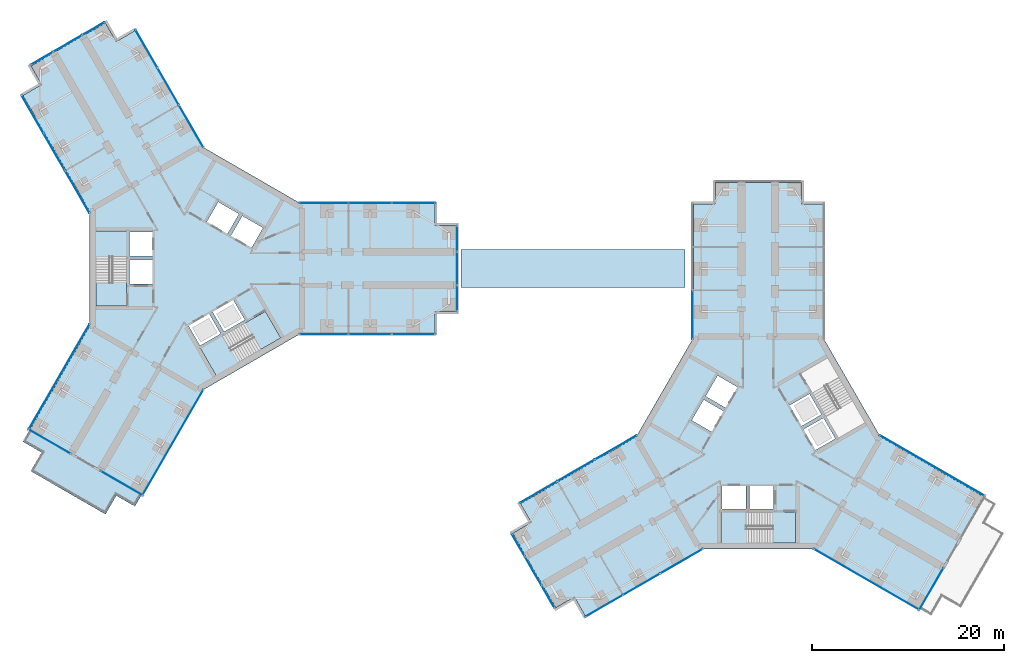
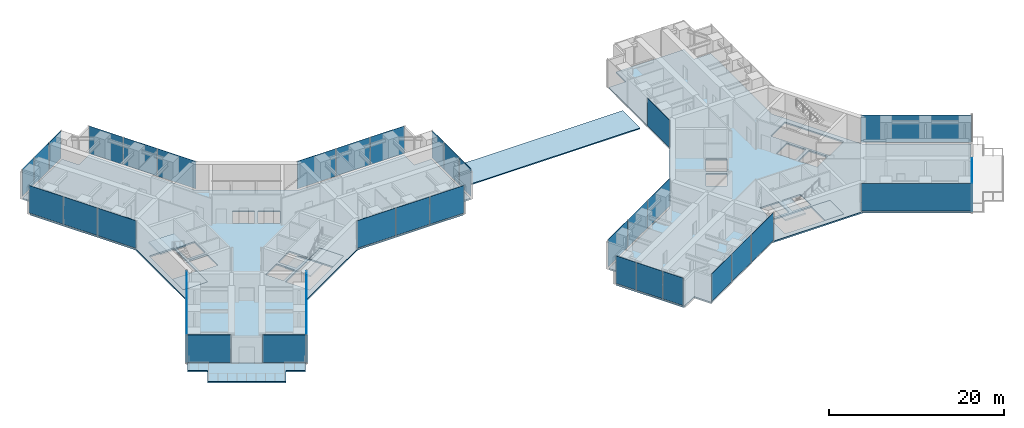
# One storey, part 13 of 22: 35 plates, 10 slabs, 20 elements without a shape of their own.
"""IFC4 building model written with IfcOpenShell, lengths in metres."""

from ifc_helpers import new_model, si_unit, direction, frame, origin, origin_2d, place, context, subcontext, project, spatial, polyline, rectangle, outline, extrude, material, layer, layer_set, type_object, element, aggregate, save


model = new_model("IFC4")

# Units and contexts
model_context = context("Model", 3, precision=1e-05, world=origin(), true_north=direction((0.0, 1.0)))
body_context = subcontext(model_context, "Body", "Model", "MODEL_VIEW")
ifc_project = project(units=[si_unit("LENGTHUNIT", "METRE"), si_unit("AREAUNIT", "SQUARE_METRE"), si_unit("VOLUMEUNIT", "CUBIC_METRE"), si_unit("PLANEANGLEUNIT", "RADIAN"), si_unit("MASSUNIT", "GRAM", prefix="KILO")], contexts=[model_context])

# Site, building, storey
site_placement = place(None, origin())
site = spatial("IfcSite", under=ifc_project, at=site_placement, CompositionType="ELEMENT")
building_placement = place(site_placement, origin())
building = spatial("IfcBuilding", under=site, at=building_placement, Name="Upepo Twin Towers", CompositionType="ELEMENT")
storey_placement = place(building_placement, frame((0.0, 0.0, 97.5)))
storey = spatial("IfcBuildingStorey", under=building, at=storey_placement, Name="L23", CompositionType="ELEMENT", Elevation=97.5)

# Slab
ifc_material_1 = material(Name="Concrete C40/50 on steel deck", Category="concrete")
ifc_layer_1 = layer(ifc_material_1, 0.14990234375)
ifc_layer_set_1 = layer_set([ifc_layer_1], Name="Concrete C40/50 on steel deck")
slab_type_1 = type_object("IfcSlabType", Name="Bridge roof 150 composite", PredefinedType="ROOF", material=ifc_layer_set_1)
slab_1_placement = place(storey_placement, frame((0.0, 0.0, -0.199951171875)))
element("IfcSlab", 1, at=slab_1_placement, inside=storey, type_object=slab_type_1, Name="BR1 roof slab (maintenance access only)", PredefinedType="ROOF", context=body_context, shape_type="SweptSolid", body=[
    extrude(outline(polyline([(27.5, -2.0), (50.840087890625, -2.0), (50.840087890625, 2.0), (27.5, 2.0), (27.5, -2.0)])), origin(), (0.0, 0.0, 1.0), 0.14990234375),
])

# Curtain wall, plates
ifc_material_2 = material(Name="Aluminium and fritted glass", Category="aluminium")
curtain_wall_type = type_object("IfcCurtainWallType", Name="Tower curtain wall TW2, fritted glass", PredefinedType="NOTDEFINED", material=ifc_material_2)
curtain_wall_1_placement = place(storey_placement, origin())
curtain_wall_1 = element("IfcCurtainWall", 2, at=curtain_wall_1_placement, inside=storey, type_object=curtain_wall_type, Name="T1 L23 wing A flank L curtain wall", PredefinedType="NOTDEFINED")
ifc_material_3 = material(Name="Ceramic-fritted laminated glass", Category="glass")
ifc_layer_2 = layer(ifc_material_3, 0.031982421875)
ifc_layer_set_2 = layer_set([ifc_layer_2], Name="Fritted glass panel, 30 per cent dot frit, 32 mm double glazed")
plate_type_1 = type_object("IfcPlateType", Name="Fritted glass panel, 30 per cent dot frit, 32 mm double glazed", PredefinedType="CURTAIN_PANEL", material=ifc_layer_set_2)
plate_1_placement = place(storey_placement, frame((13.184814453125, 6.85009765625, 0.14990234375), z_axis=(0.0, 0.0, 1.0), x_axis=(1.0, 0.0, 0.0)))
plate_1 = element("IfcPlate", 3, at=plate_1_placement, type_object=plate_type_1, Name="T1 L23 wing A flank L curtain wall panel 1", PredefinedType="CURTAIN_PANEL", context=body_context, shape_type="SweptSolid", body=[
    extrude(rectangle(XDim=5.0654296875, YDim=0.031982421875, at=origin_2d()), origin(), (0.0, 0.0, 1.0), 3.85009765625),
])
plate_2_placement = place(storey_placement, frame((18.0, 6.85009765625, 0.14990234375), z_axis=(0.0, 0.0, 1.0), x_axis=(1.0, 0.0, 0.0)))
plate_2 = element("IfcPlate", 4, at=plate_2_placement, type_object=plate_type_1, Name="T1 L23 wing A flank L curtain wall panel 2", PredefinedType="CURTAIN_PANEL", context=body_context, shape_type="SweptSolid", body=[
    extrude(rectangle(XDim=4.43505859375, YDim=0.031982421875, at=origin_2d()), origin(), (0.0, 0.0, 1.0), 3.85009765625),
])
plate_3_placement = place(storey_placement, frame((22.53369140625, 6.85009765625, 0.14990234375), z_axis=(0.0, 0.0, 1.0), x_axis=(1.0, 0.0, 0.0)))
plate_3 = element("IfcPlate", 5, at=plate_3_placement, type_object=plate_type_1, Name="T1 L23 wing A flank L curtain wall panel 3", PredefinedType="CURTAIN_PANEL", context=body_context, shape_type="SweptSolid", body=[
    extrude(rectangle(XDim=4.50244140625, YDim=0.031982421875, at=origin_2d()), origin(), (0.0, 0.0, 1.0), 3.85009765625),
])
aggregate(curtain_wall_1, [plate_1, plate_2, plate_3])

curtain_wall_2_placement = place(storey_placement, origin())
curtain_wall_2 = element("IfcCurtainWall", 6, at=curtain_wall_2_placement, inside=storey, type_object=curtain_wall_type, Name="T1 L23 wing A flank R curtain wall", PredefinedType="NOTDEFINED")
plate_4_placement = place(storey_placement, frame((22.53369140625, -6.85009765625, 0.14990234375), z_axis=(0.0, 0.0, 1.0), x_axis=(-1.0, 0.0, 0.0)))
plate_4 = element("IfcPlate", 7, at=plate_4_placement, type_object=plate_type_1, Name="T1 L23 wing A flank R curtain wall panel 1", PredefinedType="CURTAIN_PANEL", context=body_context, shape_type="SweptSolid", body=[
    extrude(rectangle(XDim=4.50244140625, YDim=0.031982421875, at=origin_2d()), origin(), (0.0, 0.0, 1.0), 3.85009765625),
])
plate_5_placement = place(storey_placement, frame((18.0, -6.85009765625, 0.14990234375), z_axis=(0.0, 0.0, 1.0), x_axis=(-1.0, 0.0, 0.0)))
plate_5 = element("IfcPlate", 8, at=plate_5_placement, type_object=plate_type_1, Name="T1 L23 wing A flank R curtain wall panel 2", PredefinedType="CURTAIN_PANEL", context=body_context, shape_type="SweptSolid", body=[
    extrude(rectangle(XDim=4.43505859375, YDim=0.031982421875, at=origin_2d()), origin(), (0.0, 0.0, 1.0), 3.85009765625),
])
plate_6_placement = place(storey_placement, frame((13.184814453125, -6.85009765625, 0.14990234375), z_axis=(0.0, 0.0, 1.0), x_axis=(-1.0, 0.0, 0.0)))
plate_6 = element("IfcPlate", 9, at=plate_6_placement, type_object=plate_type_1, Name="T1 L23 wing A flank R curtain wall panel 3", PredefinedType="CURTAIN_PANEL", context=body_context, shape_type="SweptSolid", body=[
    extrude(rectangle(XDim=5.0654296875, YDim=0.031982421875, at=origin_2d()), origin(), (0.0, 0.0, 1.0), 3.85009765625),
])
aggregate(curtain_wall_2, [plate_4, plate_5, plate_6])

# Curtain wall, plate
curtain_wall_3_placement = place(storey_placement, origin())
curtain_wall_3 = element("IfcCurtainWall", 10, at=curtain_wall_3_placement, inside=storey, type_object=curtain_wall_type, Name="T1 L23 wing A nose curtain wall", PredefinedType="NOTDEFINED")
plate_7_placement = place(storey_placement, frame((27.10009765625, 0.0, 0.14990234375), z_axis=(0.0, 0.0, 1.0), x_axis=(0.0, 1.0, 0.0)))
plate_7 = element("IfcPlate", 11, at=plate_7_placement, type_object=plate_type_1, Name="T1 L23 wing A nose curtain wall panel 2", PredefinedType="CURTAIN_PANEL", context=body_context, shape_type="SweptSolid", body=[
    extrude(rectangle(XDim=3.43505859375, YDim=0.031982421875, at=origin_2d()), origin(), (0.0, 0.0, 1.0), 3.85009765625),
])

# Curtain wall, plates
curtain_wall_4_placement = place(storey_placement, origin())
curtain_wall_4 = element("IfcCurtainWall", 12, at=curtain_wall_4_placement, inside=storey, type_object=curtain_wall_type, Name="T1 L23 wing B flank L curtain wall", PredefinedType="NOTDEFINED")
plate_8_placement = place(storey_placement, frame((-12.524658203125, 7.993408203125, 0.14990234375), z_axis=(0.0, 0.0, 1.0), x_axis=(-0.500000010308, 0.866025397833, 0.0)))
plate_8 = element("IfcPlate", 13, at=plate_8_placement, type_object=plate_type_1, Name="T1 L23 wing B flank L curtain wall panel 1", PredefinedType="CURTAIN_PANEL", context=body_context, shape_type="SweptSolid", body=[
    extrude(rectangle(XDim=5.0654296875, YDim=0.031982421875, at=origin_2d()), origin(), (0.0, 0.0, 1.0), 3.85009765625),
])
plate_9_placement = place(storey_placement, frame((-14.932373046875, 12.16357421875, 0.14990234375), z_axis=(0.0, 0.0, 1.0), x_axis=(-0.500000010308, 0.866025397833, 0.0)))
plate_9 = element("IfcPlate", 14, at=plate_9_placement, type_object=plate_type_1, Name="T1 L23 wing B flank L curtain wall panel 2", PredefinedType="CURTAIN_PANEL", context=body_context, shape_type="SweptSolid", body=[
    extrude(rectangle(XDim=4.43505859375, YDim=0.031982421875, at=origin_2d()), origin(), (0.0, 0.0, 1.0), 3.85009765625),
])
plate_10_placement = place(storey_placement, frame((-17.19921875, 16.08984375, 0.14990234375), z_axis=(0.0, 0.0, 1.0), x_axis=(-0.500000010308, 0.866025397833, 0.0)))
plate_10 = element("IfcPlate", 15, at=plate_10_placement, type_object=plate_type_1, Name="T1 L23 wing B flank L curtain wall panel 3", PredefinedType="CURTAIN_PANEL", context=body_context, shape_type="SweptSolid", body=[
    extrude(rectangle(XDim=4.50244140625, YDim=0.031982421875, at=origin_2d()), origin(), (0.0, 0.0, 1.0), 3.85009765625),
])
aggregate(curtain_wall_4, [plate_8, plate_9, plate_10])

curtain_wall_5_placement = place(storey_placement, origin())
curtain_wall_5 = element("IfcCurtainWall", 16, at=curtain_wall_5_placement, inside=storey, type_object=curtain_wall_type, Name="T1 L23 wing B flank R curtain wall", PredefinedType="NOTDEFINED")
plate_11_placement = place(storey_placement, frame((-5.334716796875, 22.939697265625, 0.14990234375), z_axis=(0.0, 0.0, 1.0), x_axis=(0.500000010308, -0.866025397833, 0.0)))
plate_11 = element("IfcPlate", 17, at=plate_11_placement, type_object=plate_type_1, Name="T1 L23 wing B flank R curtain wall panel 1", PredefinedType="CURTAIN_PANEL", context=body_context, shape_type="SweptSolid", body=[
    extrude(rectangle(XDim=4.50244140625, YDim=0.031982421875, at=origin_2d()), origin(), (0.0, 0.0, 1.0), 3.85009765625),
])
plate_12_placement = place(storey_placement, frame((-3.067626953125, 19.013427734375, 0.14990234375), z_axis=(0.0, 0.0, 1.0), x_axis=(0.500000010308, -0.866025397833, 0.0)))
plate_12 = element("IfcPlate", 18, at=plate_12_placement, type_object=plate_type_1, Name="T1 L23 wing B flank R curtain wall panel 2", PredefinedType="CURTAIN_PANEL", context=body_context, shape_type="SweptSolid", body=[
    extrude(rectangle(XDim=4.43505859375, YDim=0.031982421875, at=origin_2d()), origin(), (0.0, 0.0, 1.0), 3.85009765625),
])
plate_13_placement = place(storey_placement, frame((-0.66015625, 14.84326171875, 0.14990234375), z_axis=(0.0, 0.0, 1.0), x_axis=(0.500000010308, -0.866025397833, 0.0)))
plate_13 = element("IfcPlate", 19, at=plate_13_placement, type_object=plate_type_1, Name="T1 L23 wing B flank R curtain wall panel 3", PredefinedType="CURTAIN_PANEL", context=body_context, shape_type="SweptSolid", body=[
    extrude(rectangle(XDim=5.0654296875, YDim=0.031982421875, at=origin_2d()), origin(), (0.0, 0.0, 1.0), 3.85009765625),
])
aggregate(curtain_wall_5, [plate_11, plate_12, plate_13])

# Curtain wall, plate
curtain_wall_6_placement = place(storey_placement, origin())
curtain_wall_6 = element("IfcCurtainWall", 20, at=curtain_wall_6_placement, inside=storey, type_object=curtain_wall_type, Name="T1 L23 wing B nose curtain wall", PredefinedType="NOTDEFINED")
plate_14_placement = place(storey_placement, frame((-13.550048828125, 23.46923828125, 0.14990234375), z_axis=(0.0, 0.0, 1.0), x_axis=(-0.866025386174, -0.500000030502, 0.0)))
plate_14 = element("IfcPlate", 21, at=plate_14_placement, type_object=plate_type_1, Name="T1 L23 wing B nose curtain wall panel 2", PredefinedType="CURTAIN_PANEL", context=body_context, shape_type="SweptSolid", body=[
    extrude(rectangle(XDim=3.43505859375, YDim=0.031982421875, at=origin_2d()), origin(), (0.0, 0.0, 1.0), 3.85009765625),
])

curtain_wall_7_placement = place(storey_placement, origin())
curtain_wall_7 = element("IfcCurtainWall", 22, at=curtain_wall_7_placement, inside=storey, type_object=curtain_wall_type, Name="T1 L23 wing C flank L curtain wall", PredefinedType="NOTDEFINED")
plate_15_placement = place(storey_placement, frame((-2.552001953125, -18.1201171875, 0.14990234375), z_axis=(0.0, 0.0, 1.0), x_axis=(-0.50000000792, -0.866025399212, 0.0)))
plate_15 = element("IfcPlate", 23, at=plate_15_placement, type_object=plate_type_1, Name="T1 L23 wing C flank L curtain wall panel 1", PredefinedType="CURTAIN_PANEL", context=body_context, shape_type="SweptSolid", body=[
    extrude(rectangle(XDim=12.6328125, YDim=0.031982421875, at=origin_2d()), origin(), (0.0, 0.0, 1.0), 3.85009765625),
])
aggregate(curtain_wall_7, [plate_15])

curtain_wall_8_placement = place(storey_placement, origin())
curtain_wall_8 = element("IfcCurtainWall", 24, at=curtain_wall_8_placement, inside=storey, type_object=curtain_wall_type, Name="T1 L23 wing C flank R curtain wall", PredefinedType="NOTDEFINED")
plate_16_placement = place(storey_placement, frame((-14.41650390625, -11.270263671875, 0.14990234375), z_axis=(0.0, 0.0, 1.0), x_axis=(0.50000000792, 0.866025399212, 0.0)))
plate_16 = element("IfcPlate", 25, at=plate_16_placement, type_object=plate_type_1, Name="T1 L23 wing C flank R curtain wall panel 1", PredefinedType="CURTAIN_PANEL", context=body_context, shape_type="SweptSolid", body=[
    extrude(rectangle(XDim=12.6328125, YDim=0.031982421875, at=origin_2d()), origin(), (0.0, 0.0, 1.0), 3.85009765625),
])
aggregate(curtain_wall_8, [plate_16])

curtain_wall_9_placement = place(storey_placement, origin())
curtain_wall_9 = element("IfcCurtainWall", 26, at=curtain_wall_9_placement, inside=storey, type_object=curtain_wall_type, Name="T2 L23 wing A flank L curtain wall", PredefinedType="NOTDEFINED")
plate_17_placement = place(storey_placement, frame((51.64990234375, -4.815185546875, 0.14990234375), z_axis=(0.0, 0.0, 1.0), x_axis=(0.0, 1.0, 0.0)))
plate_17 = element("IfcPlate", 27, at=plate_17_placement, type_object=plate_type_1, Name="T2 L23 wing A flank L curtain wall panel 1", PredefinedType="CURTAIN_PANEL", context=body_context, shape_type="SweptSolid", body=[
    extrude(rectangle(XDim=5.0654296875, YDim=0.031982421875, at=origin_2d()), origin(), (0.0, 0.0, 1.0), 3.85009765625),
])
aggregate(curtain_wall_9, [plate_17])

# Curtain wall, plates
curtain_wall_10_placement = place(storey_placement, origin())
curtain_wall_10 = element("IfcCurtainWall", 28, at=curtain_wall_10_placement, inside=storey, type_object=curtain_wall_type, Name="T2 L23 wing B flank L curtain wall", PredefinedType="NOTDEFINED")
plate_18_placement = place(storey_placement, frame((50.506591796875, -30.524658203125, 0.14990234375), z_axis=(0.0, 0.0, 1.0), x_axis=(-0.866025397833, -0.500000010308, 0.0)))
plate_18 = element("IfcPlate", 29, at=plate_18_placement, type_object=plate_type_1, Name="T2 L23 wing B flank L curtain wall panel 1", PredefinedType="CURTAIN_PANEL", context=body_context, shape_type="SweptSolid", body=[
    extrude(rectangle(XDim=5.0654296875, YDim=0.031982421875, at=origin_2d()), origin(), (0.0, 0.0, 1.0), 3.85009765625),
])
plate_19_placement = place(storey_placement, frame((46.33642578125, -32.932373046875, 0.14990234375), z_axis=(0.0, 0.0, 1.0), x_axis=(-0.866025397833, -0.500000010308, 0.0)))
plate_19 = element("IfcPlate", 30, at=plate_19_placement, type_object=plate_type_1, Name="T2 L23 wing B flank L curtain wall panel 2", PredefinedType="CURTAIN_PANEL", context=body_context, shape_type="SweptSolid", body=[
    extrude(rectangle(XDim=4.43505859375, YDim=0.031982421875, at=origin_2d()), origin(), (0.0, 0.0, 1.0), 3.85009765625),
])
plate_20_placement = place(storey_placement, frame((42.41015625, -35.19921875, 0.14990234375), z_axis=(0.0, 0.0, 1.0), x_axis=(-0.866025397833, -0.500000010308, 0.0)))
plate_20 = element("IfcPlate", 31, at=plate_20_placement, type_object=plate_type_1, Name="T2 L23 wing B flank L curtain wall panel 3", PredefinedType="CURTAIN_PANEL", context=body_context, shape_type="SweptSolid", body=[
    extrude(rectangle(XDim=4.50244140625, YDim=0.031982421875, at=origin_2d()), origin(), (0.0, 0.0, 1.0), 3.85009765625),
])
aggregate(curtain_wall_10, [plate_18, plate_19, plate_20])

curtain_wall_11_placement = place(storey_placement, origin())
curtain_wall_11 = element("IfcCurtainWall", 32, at=curtain_wall_11_placement, inside=storey, type_object=curtain_wall_type, Name="T2 L23 wing B flank R curtain wall", PredefinedType="NOTDEFINED")
plate_21_placement = place(storey_placement, frame((35.560302734375, -23.334716796875, 0.14990234375), z_axis=(0.0, 0.0, 1.0), x_axis=(0.866025397833, 0.500000010308, 0.0)))
plate_21 = element("IfcPlate", 33, at=plate_21_placement, type_object=plate_type_1, Name="T2 L23 wing B flank R curtain wall panel 1", PredefinedType="CURTAIN_PANEL", context=body_context, shape_type="SweptSolid", body=[
    extrude(rectangle(XDim=4.50244140625, YDim=0.031982421875, at=origin_2d()), origin(), (0.0, 0.0, 1.0), 3.85009765625),
])
plate_22_placement = place(storey_placement, frame((39.486572265625, -21.067626953125, 0.14990234375), z_axis=(0.0, 0.0, 1.0), x_axis=(0.866025397833, 0.500000010308, 0.0)))
plate_22 = element("IfcPlate", 34, at=plate_22_placement, type_object=plate_type_1, Name="T2 L23 wing B flank R curtain wall panel 2", PredefinedType="CURTAIN_PANEL", context=body_context, shape_type="SweptSolid", body=[
    extrude(rectangle(XDim=4.43505859375, YDim=0.031982421875, at=origin_2d()), origin(), (0.0, 0.0, 1.0), 3.85009765625),
])
plate_23_placement = place(storey_placement, frame((43.65673828125, -18.66015625, 0.14990234375), z_axis=(0.0, 0.0, 1.0), x_axis=(0.866025397833, 0.500000010308, 0.0)))
plate_23 = element("IfcPlate", 35, at=plate_23_placement, type_object=plate_type_1, Name="T2 L23 wing B flank R curtain wall panel 3", PredefinedType="CURTAIN_PANEL", context=body_context, shape_type="SweptSolid", body=[
    extrude(rectangle(XDim=5.0654296875, YDim=0.031982421875, at=origin_2d()), origin(), (0.0, 0.0, 1.0), 3.85009765625),
])
aggregate(curtain_wall_11, [plate_21, plate_22, plate_23])

# Curtain wall, plate
curtain_wall_12_placement = place(storey_placement, origin())
curtain_wall_12 = element("IfcCurtainWall", 36, at=curtain_wall_12_placement, inside=storey, type_object=curtain_wall_type, Name="T2 L23 wing B nose curtain wall", PredefinedType="NOTDEFINED")
plate_24_placement = place(storey_placement, frame((35.03076171875, -31.550048828125, 0.14990234375), z_axis=(0.0, 0.0, 1.0), x_axis=(0.500000030502, -0.866025386174, 0.0)))
plate_24 = element("IfcPlate", 37, at=plate_24_placement, type_object=plate_type_1, Name="T2 L23 wing B nose curtain wall panel 2", PredefinedType="CURTAIN_PANEL", context=body_context, shape_type="SweptSolid", body=[
    extrude(rectangle(XDim=3.43505859375, YDim=0.031982421875, at=origin_2d()), origin(), (0.0, 0.0, 1.0), 3.85009765625),
])

curtain_wall_13_placement = place(storey_placement, origin())
curtain_wall_13 = element("IfcCurtainWall", 38, at=curtain_wall_13_placement, inside=storey, type_object=curtain_wall_type, Name="T2 L23 wing C flank L curtain wall", PredefinedType="NOTDEFINED")
plate_25_placement = place(storey_placement, frame((76.6201171875, -20.552001953125, 0.14990234375), z_axis=(0.0, 0.0, 1.0), x_axis=(0.866025399212, -0.50000000792, 0.0)))
plate_25 = element("IfcPlate", 39, at=plate_25_placement, type_object=plate_type_1, Name="T2 L23 wing C flank L curtain wall panel 1", PredefinedType="CURTAIN_PANEL", context=body_context, shape_type="SweptSolid", body=[
    extrude(rectangle(XDim=12.6328125, YDim=0.031982421875, at=origin_2d()), origin(), (0.0, 0.0, 1.0), 3.85009765625),
])
aggregate(curtain_wall_13, [plate_25])

curtain_wall_14_placement = place(storey_placement, origin())
curtain_wall_14 = element("IfcCurtainWall", 40, at=curtain_wall_14_placement, inside=storey, type_object=curtain_wall_type, Name="T2 L23 wing C flank R curtain wall", PredefinedType="NOTDEFINED")
plate_26_placement = place(storey_placement, frame((69.770263671875, -32.41650390625, 0.14990234375), z_axis=(0.0, 0.0, 1.0), x_axis=(-0.866025399212, 0.50000000792, 0.0)))
plate_26 = element("IfcPlate", 41, at=plate_26_placement, type_object=plate_type_1, Name="T2 L23 wing C flank R curtain wall panel 1", PredefinedType="CURTAIN_PANEL", context=body_context, shape_type="SweptSolid", body=[
    extrude(rectangle(XDim=12.6328125, YDim=0.031982421875, at=origin_2d()), origin(), (0.0, 0.0, 1.0), 3.85009765625),
])
aggregate(curtain_wall_14, [plate_26])

# Plate
ifc_material_4 = material(Name="Clear laminated glass in opening sash", Category="glass")
ifc_layer_3 = layer(ifc_material_4, 0.031982421875)
ifc_layer_set_3 = layer_set([ifc_layer_3], Name="Operable glass panel, 32 mm double glazed")
plate_type_2 = type_object("IfcPlateType", Name="Operable glass panel, 32 mm double glazed", PredefinedType="CURTAIN_PANEL", material=ifc_layer_set_3)
plate_27_placement = place(storey_placement, frame((27.10009765625, -3.108642578125, 0.14990234375), z_axis=(0.0, 0.0, 1.0), x_axis=(0.0, 1.0, 0.0)))
plate_27 = element("IfcPlate", 42, at=plate_27_placement, type_object=plate_type_2, Name="T1 L23 wing A nose curtain wall panel 1", PredefinedType="CURTAIN_PANEL", context=body_context, shape_type="SweptSolid", body=[
    extrude(rectangle(XDim=2.652587890625, YDim=0.031982421875, at=origin_2d()), origin(), (0.0, 0.0, 1.0), 3.85009765625),
])

plate_28_placement = place(storey_placement, frame((27.10009765625, 3.108642578125, 0.14990234375), z_axis=(0.0, 0.0, 1.0), x_axis=(0.0, 1.0, 0.0)))
plate_28 = element("IfcPlate", 43, at=plate_28_placement, type_object=plate_type_2, Name="T1 L23 wing A nose curtain wall panel 3", PredefinedType="CURTAIN_PANEL", context=body_context, shape_type="SweptSolid", body=[
    extrude(rectangle(XDim=2.652587890625, YDim=0.031982421875, at=origin_2d()), origin(), (0.0, 0.0, 1.0), 3.85009765625),
])

aggregate(curtain_wall_3, [plate_27, plate_7, plate_28])

plate_29_placement = place(storey_placement, frame((-10.857666015625, 25.023681640625, 0.14990234375), z_axis=(0.0, 0.0, 1.0), x_axis=(-0.866025386174, -0.500000030502, 0.0)))
plate_29 = element("IfcPlate", 44, at=plate_29_placement, type_object=plate_type_2, Name="T1 L23 wing B nose curtain wall panel 1", PredefinedType="CURTAIN_PANEL", context=body_context, shape_type="SweptSolid", body=[
    extrude(rectangle(XDim=2.652587890625, YDim=0.031982421875, at=origin_2d()), origin(), (0.0, 0.0, 1.0), 3.85009765625),
])

plate_30_placement = place(storey_placement, frame((-16.2421875, 21.914794921875, 0.14990234375), z_axis=(0.0, 0.0, 1.0), x_axis=(-0.866025386174, -0.500000030502, 0.0)))
plate_30 = element("IfcPlate", 45, at=plate_30_placement, type_object=plate_type_2, Name="T1 L23 wing B nose curtain wall panel 3", PredefinedType="CURTAIN_PANEL", context=body_context, shape_type="SweptSolid", body=[
    extrude(rectangle(XDim=2.652587890625, YDim=0.031982421875, at=origin_2d()), origin(), (0.0, 0.0, 1.0), 3.85009765625),
])

aggregate(curtain_wall_6, [plate_29, plate_14, plate_30])

# Curtain wall, plate
curtain_wall_15_placement = place(storey_placement, origin())
curtain_wall_15 = element("IfcCurtainWall", 46, at=curtain_wall_15_placement, inside=storey, type_object=curtain_wall_type, Name="T1 L23 wing C nose curtain wall 0", PredefinedType="NOTDEFINED")
plate_31_placement = place(storey_placement, frame((-15.442138671875, -18.046630859375, 0.14990234375), z_axis=(0.0, 0.0, 1.0), x_axis=(0.866025447069, -0.49999992503, 0.0)))
plate_31 = element("IfcPlate", 47, at=plate_31_placement, type_object=plate_type_2, Name="T1 L23 wing C nose curtain wall 0 panel 1", PredefinedType="CURTAIN_PANEL", context=body_context, shape_type="SweptSolid", body=[
    extrude(rectangle(XDim=5.070068359375, YDim=0.031982421875, at=origin_2d()), origin(), (0.0, 0.0, 1.0), 3.85009765625),
])
aggregate(curtain_wall_15, [plate_31])

curtain_wall_16_placement = place(storey_placement, origin())
curtain_wall_16 = element("IfcCurtainWall", 48, at=curtain_wall_16_placement, inside=storey, type_object=curtain_wall_type, Name="T1 L23 wing C nose curtain wall 2", PredefinedType="NOTDEFINED")
plate_32_placement = place(storey_placement, frame((-7.90771484375, -22.396728515625, 0.14990234375), z_axis=(0.0, 0.0, 1.0), x_axis=(0.866025447069, -0.49999992503, 0.0)))
plate_32 = element("IfcPlate", 49, at=plate_32_placement, type_object=plate_type_2, Name="T1 L23 wing C nose curtain wall 2 panel 1", PredefinedType="CURTAIN_PANEL", context=body_context, shape_type="SweptSolid", body=[
    extrude(rectangle(XDim=5.070068359375, YDim=0.031982421875, at=origin_2d()), origin(), (0.0, 0.0, 1.0), 3.85009765625),
])
aggregate(curtain_wall_16, [plate_32])

# Plate
plate_33_placement = place(storey_placement, frame((33.476318359375, -28.857666015625, 0.14990234375), z_axis=(0.0, 0.0, 1.0), x_axis=(0.500000030502, -0.866025386174, 0.0)))
plate_33 = element("IfcPlate", 50, at=plate_33_placement, type_object=plate_type_2, Name="T2 L23 wing B nose curtain wall panel 1", PredefinedType="CURTAIN_PANEL", context=body_context, shape_type="SweptSolid", body=[
    extrude(rectangle(XDim=2.652587890625, YDim=0.031982421875, at=origin_2d()), origin(), (0.0, 0.0, 1.0), 3.85009765625),
])

plate_34_placement = place(storey_placement, frame((36.585205078125, -34.2421875, 0.14990234375), z_axis=(0.0, 0.0, 1.0), x_axis=(0.500000030502, -0.866025386174, 0.0)))
plate_34 = element("IfcPlate", 51, at=plate_34_placement, type_object=plate_type_2, Name="T2 L23 wing B nose curtain wall panel 3", PredefinedType="CURTAIN_PANEL", context=body_context, shape_type="SweptSolid", body=[
    extrude(rectangle(XDim=2.652587890625, YDim=0.031982421875, at=origin_2d()), origin(), (0.0, 0.0, 1.0), 3.85009765625),
])

aggregate(curtain_wall_12, [plate_33, plate_24, plate_34])

# Curtain wall, plate
curtain_wall_17_placement = place(storey_placement, origin())
curtain_wall_17 = element("IfcCurtainWall", 52, at=curtain_wall_17_placement, inside=storey, type_object=curtain_wall_type, Name="T2 L23 wing C nose curtain wall 0", PredefinedType="NOTDEFINED")
plate_35_placement = place(storey_placement, frame((76.546630859375, -33.442138671875, 0.14990234375), z_axis=(0.0, 0.0, 1.0), x_axis=(0.49999992503, 0.866025447069, 0.0)))
plate_35 = element("IfcPlate", 53, at=plate_35_placement, type_object=plate_type_2, Name="T2 L23 wing C nose curtain wall 0 panel 1", PredefinedType="CURTAIN_PANEL", context=body_context, shape_type="SweptSolid", body=[
    extrude(rectangle(XDim=5.070068359375, YDim=0.031982421875, at=origin_2d()), origin(), (0.0, 0.0, 1.0), 3.85009765625),
])
aggregate(curtain_wall_17, [plate_35])

# Slab
ifc_material_5 = material(Name="Concrete C40/50", Category="concrete")
ifc_layer_4 = layer(ifc_material_5, 0.199951171875)
ifc_layer_set_4 = layer_set([ifc_layer_4], Name="Concrete C40/50")
slab_type_2 = type_object("IfcSlabType", Name="Sky terrace slab 200 RC", PredefinedType="ROOF", material=ifc_layer_set_4)
slab_2_placement = place(storey_placement, frame((0.0, 0.0, -0.199951171875)))
element("IfcSlab", 54, at=slab_2_placement, inside=storey, type_object=slab_type_2, Name="T1 L23 sky terrace slab with planting beds", PredefinedType="ROOF", context=body_context, shape_type="SweptSolid", body=[
    extrude(outline(polyline([(-9.602783203125, -25.632568359375), (-17.397216796875, -21.132568359375), (-16.272216796875, -19.18408203125), (-18.220703125, -18.05908203125), (-11.25830078125, -6.0), (-17.470703125, -16.760009765625), (-5.779296875, -23.510009765625), (0.43310546875, -12.75), (-6.529296875, -24.80908203125), (-8.477783203125, -23.68408203125), (-9.602783203125, -25.632568359375)])), origin(), (0.0, 0.0, 1.0), 0.199951171875),
])

# Stair, slabs
ifc_material_6 = material(Name="Concrete C40/50", Category="concrete")
stair_type = type_object("IfcStairType", Name="Core stair, two flights", PredefinedType="HALF_TURN_STAIR", material=ifc_material_6)
stair_1_placement = place(storey_placement, origin())
stair_1 = element("IfcStair", 55, at=stair_1_placement, inside=storey, type_object=stair_type, Name="T1 stair S1 L23", PredefinedType="HALF_TURN_STAIR")
ifc_material_7 = material(Name="Concrete C40/50", Category="concrete")
ifc_layer_5 = layer(ifc_material_7, 0.199951171875)
ifc_layer_set_5 = layer_set([ifc_layer_5], Name="Concrete C40/50")
slab_type_3 = type_object("IfcSlabType", Name="Stair landing 200 RC", PredefinedType="LANDING", material=ifc_layer_set_5)
slab_3_placement = place(storey_placement, frame((0.0, 0.0, -0.199951171875)))
slab_3 = element("IfcSlab", 56, at=slab_3_placement, type_object=slab_type_3, Name="Stair S1 landing 1", PredefinedType="LANDING", context=body_context, shape_type="SweptSolid", body=[
    extrude(outline(polyline([(-7.39990234375, -1.419921875), (-10.6083984375, -1.419921875), (-10.6083984375, -3.89990234375), (-7.39990234375, -3.89990234375), (-7.39990234375, -1.419921875)])), origin(), (0.0, 0.0, 1.0), 0.199951171875),
])
slab_4_placement = place(storey_placement, frame((0.0, 0.0, 1.800048828125)))
slab_4 = element("IfcSlab", 57, at=slab_4_placement, type_object=slab_type_3, Name="Stair S1 landing 2", PredefinedType="LANDING", context=body_context, shape_type="SweptSolid", body=[
    extrude(outline(polyline([(-7.300048828125, 3.89990234375), (-10.708251953125, 3.89990234375), (-10.708251953125, 1.179931640625), (-7.300048828125, 1.179931640625), (-7.300048828125, 3.89990234375)])), origin(), (0.0, 0.0, 1.0), 0.199951171875),
])
aggregate(stair_1, [slab_3, slab_4])

stair_2_placement = place(storey_placement, origin())
stair_2 = element("IfcStair", 58, at=stair_2_placement, inside=storey, type_object=stair_type, Name="T1 stair S2 L23", PredefinedType="HALF_TURN_STAIR")
slab_5_placement = place(storey_placement, frame((0.0, 0.0, -0.199951171875)))
slab_5 = element("IfcSlab", 59, at=slab_5_placement, type_object=slab_type_3, Name="Stair S2 landing 1", PredefinedType="LANDING", context=body_context, shape_type="SweptSolid", body=[
    extrude(outline(polyline([(4.9296875, -5.698486328125), (6.533935546875, -8.47705078125), (8.681640625, -7.237060546875), (7.077392578125, -4.45849609375), (4.9296875, -5.698486328125)])), origin(), (0.0, 0.0, 1.0), 0.199951171875),
])
slab_6_placement = place(storey_placement, frame((0.0, 0.0, 1.800048828125)))
slab_6 = element("IfcSlab", 60, at=slab_6_placement, type_object=slab_type_3, Name="Stair S2 landing 2", PredefinedType="LANDING", context=body_context, shape_type="SweptSolid", body=[
    extrude(outline(polyline([(0.2724609375, -8.27197265625), (1.9765625, -11.2236328125), (4.332275390625, -9.86376953125), (2.628173828125, -6.911865234375), (0.2724609375, -8.27197265625)])), origin(), (0.0, 0.0, 1.0), 0.199951171875),
])
aggregate(stair_2, [slab_5, slab_6])

stair_3_placement = place(storey_placement, origin())
stair_3 = element("IfcStair", 61, at=stair_3_placement, inside=storey, type_object=stair_type, Name="T2 stair S1 L23", PredefinedType="HALF_TURN_STAIR")
slab_7_placement = place(storey_placement, frame((0.0, 0.0, -0.199951171875)))
slab_7 = element("IfcSlab", 62, at=slab_7_placement, type_object=slab_type_3, Name="Stair S1 landing 1", PredefinedType="LANDING", context=body_context, shape_type="SweptSolid", body=[
    extrude(outline(polyline([(59.919921875, -25.39990234375), (59.919921875, -28.6083984375), (62.39990234375, -28.6083984375), (62.39990234375, -25.39990234375), (59.919921875, -25.39990234375)])), origin(), (0.0, 0.0, 1.0), 0.199951171875),
])
slab_8_placement = place(storey_placement, frame((0.0, 0.0, 1.800048828125)))
slab_8 = element("IfcSlab", 63, at=slab_8_placement, type_object=slab_type_3, Name="Stair S1 landing 2", PredefinedType="LANDING", context=body_context, shape_type="SweptSolid", body=[
    extrude(outline(polyline([(54.60009765625, -25.300048828125), (54.60009765625, -28.708251953125), (57.320068359375, -28.708251953125), (57.320068359375, -25.300048828125), (54.60009765625, -25.300048828125)])), origin(), (0.0, 0.0, 1.0), 0.199951171875),
])
aggregate(stair_3, [slab_7, slab_8])

# Slabs
ifc_material_8 = material(Name="Concrete C40/50", Category="concrete")
ifc_layer_6 = layer(ifc_material_8, 0.199951171875)
ifc_layer_set_6 = layer_set([ifc_layer_6], Name="Concrete C40/50")
slab_type_4 = type_object("IfcSlabType", Name="Tower floor slab 200 RC", PredefinedType="FLOOR", material=ifc_layer_set_6)
slab_9_placement = place(storey_placement, frame((0.0, 0.0, -0.199951171875)))
element("IfcSlab", 64, at=slab_9_placement, inside=storey, type_object=slab_type_4, Name="T1 L23 floor slab", PredefinedType="FLOOR", context=body_context, shape_type="SweptSolid", body=[
    extrude(outline(polyline([(-17.470703125, -16.760009765625), (-11.25830078125, -6.0), (-11.25830078125, 6.0), (-18.220703125, 18.05908203125), (-16.272216796875, 19.18408203125), (-17.397216796875, 21.132568359375), (-9.602783203125, 25.632568359375), (-8.477783203125, 23.68408203125), (-6.529296875, 24.80908203125), (0.43310546875, 12.75), (10.825439453125, 6.75), (24.75, 6.75), (24.75, 4.5), (27.0, 4.5), (27.0, -4.5), (24.75, -4.5), (24.75, -6.75), (10.825439453125, -6.75), (0.43310546875, -12.75), (-5.779296875, -23.510009765625), (-17.470703125, -16.760009765625)]), holes=[polyline([(5.640869140625, 2.17041015625), (6.8408203125, 4.248779296875), (4.67578125, 5.498779296875), (3.475830078125, 3.42041015625), (5.640869140625, 2.17041015625)]), polyline([(3.12939453125, 3.620361328125), (4.329345703125, 5.69873046875), (2.164306640625, 6.94873046875), (0.96435546875, 4.870361328125), (3.12939453125, 3.620361328125)]), polyline([(-4.699951171875, 3.800048828125), (-7.10009765625, 3.800048828125), (-7.10009765625, 1.300048828125), (-4.699951171875, 1.300048828125), (-4.699951171875, 3.800048828125)]), polyline([(-4.699951171875, 0.89990234375), (-7.10009765625, 0.89990234375), (-7.10009765625, -1.60009765625), (-4.699951171875, -1.60009765625), (-4.699951171875, 0.89990234375)]), polyline([(-7.39990234375, 3.89990234375), (-10.6083984375, 3.89990234375), (-10.6083984375, -3.89990234375), (-7.39990234375, -3.89990234375), (-7.39990234375, 3.89990234375)]), polyline([(-0.94091796875, -5.97021484375), (0.259033203125, -8.048828125), (2.424072265625, -6.798828125), (1.22412109375, -4.72021484375), (-0.94091796875, -5.97021484375)]), polyline([(1.570556640625, -4.520263671875), (2.7705078125, -6.598876953125), (4.935546875, -5.348876953125), (3.735595703125, -3.270263671875), (1.570556640625, -4.520263671875)]), polyline([(0.322509765625, -8.358642578125), (1.9267578125, -11.136962890625), (8.681640625, -7.237060546875), (7.077392578125, -4.45849609375), (0.322509765625, -8.358642578125)])]), origin(), (0.0, 0.0, 1.0), 0.199951171875),
])
slab_10_placement = place(storey_placement, frame((0.0, 0.0, -0.199951171875)))
element("IfcSlab", 65, at=slab_10_placement, inside=storey, type_object=slab_type_4, Name="T2 L23 floor slab", PredefinedType="FLOOR", context=body_context, shape_type="SweptSolid", body=[
    extrude(outline(polyline([(75.260009765625, -35.470703125), (64.5, -29.25830078125), (52.5, -29.25830078125), (40.44091796875, -36.220703125), (39.31591796875, -34.272216796875), (37.367431640625, -35.397216796875), (32.867431640625, -27.602783203125), (34.81591796875, -26.477783203125), (33.69091796875, -24.529296875), (45.75, -17.56689453125), (51.75, -7.174560546875), (51.75, 6.75), (54.0, 6.75), (54.0, 9.0), (63.0, 9.0), (63.0, 6.75), (65.25, 6.75), (65.25, -7.174560546875), (71.25, -17.56689453125), (82.010009765625, -23.779296875), (75.260009765625, -35.470703125)]), holes=[polyline([(56.32958984375, -12.359130859375), (54.251220703125, -11.1591796875), (53.001220703125, -13.32421875), (55.07958984375, -14.524169921875), (56.32958984375, -12.359130859375)]), polyline([(54.879638671875, -14.87060546875), (52.80126953125, -13.670654296875), (51.55126953125, -15.835693359375), (53.629638671875, -17.03564453125), (54.879638671875, -14.87060546875)]), polyline([(54.699951171875, -22.699951171875), (54.699951171875, -25.10009765625), (57.199951171875, -25.10009765625), (57.199951171875, -22.699951171875), (54.699951171875, -22.699951171875)]), polyline([(57.60009765625, -22.699951171875), (57.60009765625, -25.10009765625), (60.10009765625, -25.10009765625), (60.10009765625, -22.699951171875), (57.60009765625, -22.699951171875)]), polyline([(54.60009765625, -25.39990234375), (54.60009765625, -28.6083984375), (62.39990234375, -28.6083984375), (62.39990234375, -25.39990234375), (54.60009765625, -25.39990234375)]), polyline([(64.47021484375, -18.94091796875), (66.548828125, -17.740966796875), (65.298828125, -15.575927734375), (63.22021484375, -16.77587890625), (64.47021484375, -18.94091796875)]), polyline([(63.020263671875, -16.429443359375), (65.098876953125, -15.2294921875), (63.848876953125, -13.064453125), (61.770263671875, -14.264404296875), (63.020263671875, -16.429443359375)]), polyline([(66.858642578125, -17.677490234375), (69.636962890625, -16.0732421875), (65.737060546875, -9.318359375), (62.95849609375, -10.922607421875), (66.858642578125, -17.677490234375)])]), origin(), (0.0, 0.0, 1.0), 0.199951171875),
])

save(model, "model.ifc")
